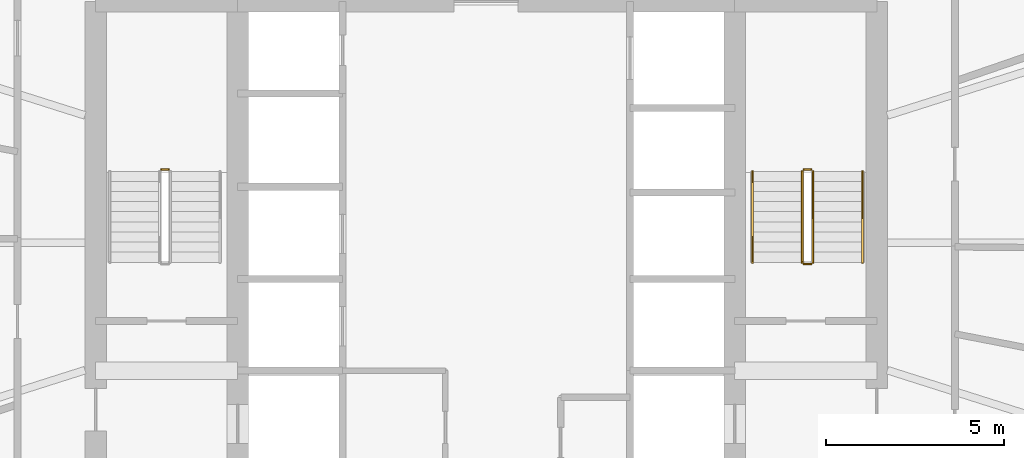
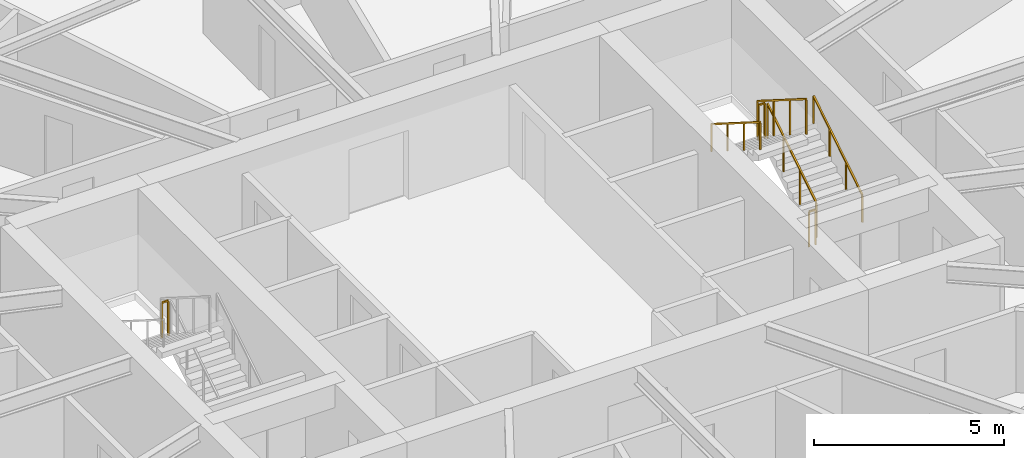
# One storey, part 27 of 27: 7 railings.
"""IFC4 building model written with IfcOpenShell, lengths in metres."""

from ifc_helpers import new_model, si_unit, direction, frame, origin, origin_2d, place, context, subcontext, project, spatial, rectangle, extrude, material, type_object, element, save


model = new_model("IFC4")

# Units and contexts
model_context = context("Model", 3, precision=1e-05, world=origin(), true_north=direction((0.0, 1.0)))
body_context = subcontext(model_context, "Body", "Model", "MODEL_VIEW")
ifc_project = project(units=[si_unit("LENGTHUNIT", "METRE"), si_unit("AREAUNIT", "SQUARE_METRE"), si_unit("VOLUMEUNIT", "CUBIC_METRE"), si_unit("PLANEANGLEUNIT", "RADIAN"), si_unit("MASSUNIT", "GRAM", prefix="KILO")], contexts=[model_context])

# Site, building, storey
site_placement = place(None, origin())
site = spatial("IfcSite", under=ifc_project, at=site_placement, CompositionType="ELEMENT")
building_placement = place(site_placement, origin())
building = spatial("IfcBuilding", under=site, at=building_placement, Name="Sarneth Arch Tower", CompositionType="ELEMENT")
storey_placement = place(building_placement, frame((0.0, 0.0, 75.0)))
storey = spatial("IfcBuildingStorey", under=building, at=storey_placement, Name="L18", CompositionType="ELEMENT", Elevation=75.0)

# Railings
ifc_material_1 = material(Name="Brushed Stainless Steel 304 tubular handrail", Category="steel")
railing_type_1 = type_object("IfcRailingType", Name="RAIL-HANDRAIL-900", PredefinedType="HANDRAIL", material=ifc_material_1)
railing_1_placement = place(storey_placement, frame((58.60009765625, 41.449951171875, 0.179931640625)))
element("IfcRailing", 1, at=railing_1_placement, inside=storey, type_object=railing_type_1, Name="L18 ST-2 stair handrail 1", PredefinedType="HANDRAIL", context=body_context, shape_type="SweptSolid", body=[
    extrude(rectangle(XDim=0.048095703125, YDim=0.048095703125, at=origin_2d()), frame((0.0, 0.0, 0.8759765625), z_axis=(0.0, 0.845465955043, 0.534029323973), x_axis=(-1.0, 0.0, 0.0)), (0.0, 0.0, 1.0), 3.03369140625),
    extrude(rectangle(XDim=0.0419921875, YDim=0.0419921875, at=origin_2d()), origin(), (0.0, 0.0, 1.0), 0.851806640625),
    extrude(rectangle(XDim=0.0419921875, YDim=0.0419921875, at=origin_2d()), frame((0.0, 0.85498046875, 0.5400390625)), (0.0, 0.0, 1.0), 0.851806640625),
    extrude(rectangle(XDim=0.0419921875, YDim=0.0419921875, at=origin_2d()), frame((0.0, 1.7099609375, 1.080078125)), (0.0, 0.0, 1.0), 0.851806640625),
    extrude(rectangle(XDim=0.0419921875, YDim=0.0419921875, at=origin_2d()), frame((0.0, 2.56494140625, 1.6201171875)), (0.0, 0.0, 1.0), 0.851806640625),
])
railing_2_placement = place(storey_placement, frame((55.5, 44.014892578125, 1.97998046875)))
element("IfcRailing", 2, at=railing_2_placement, inside=storey, type_object=railing_type_1, Name="L18 ST-2 stair handrail 2", PredefinedType="HANDRAIL", context=body_context, shape_type="SweptSolid", body=[
    extrude(rectangle(XDim=0.048095703125, YDim=0.048095703125, at=origin_2d()), frame((0.0, 0.0, 0.8759765625), z_axis=(0.0, -0.845465955043, 0.534029323973), x_axis=(1.0, 0.0, 0.0)), (0.0, 0.0, 1.0), 3.03369140625),
    extrude(rectangle(XDim=0.0419921875, YDim=0.0419921875, at=origin_2d()), origin(), (0.0, 0.0, 1.0), 0.851806640625),
    extrude(rectangle(XDim=0.0419921875, YDim=0.0419921875, at=origin_2d()), frame((0.0, -0.85498046875, 0.5400390625)), (0.0, 0.0, 1.0), 0.851806640625),
    extrude(rectangle(XDim=0.0419921875, YDim=0.0419921875, at=origin_2d()), frame((0.0, -1.7099609375, 1.080078125)), (0.0, 0.0, 1.0), 0.851806640625),
    extrude(rectangle(XDim=0.0419921875, YDim=0.0419921875, at=origin_2d()), frame((0.0, -2.56494140625, 1.6201171875)), (0.0, 0.0, 1.0), 0.851806640625),
])
ifc_material_2 = material(Name="Painted Steel S275 stair well guard", Category="steel")
railing_type_2 = type_object("IfcRailingType", Name="RAIL-STAIR-GUARD", PredefinedType="GUARDRAIL", material=ifc_material_2)
railing_3_placement = place(storey_placement, frame((39.050048828125, 44.06494140625, 1.800048828125)))
element("IfcRailing", 3, at=railing_3_placement, inside=storey, type_object=railing_type_2, Name="L18 ST-1 stair guard 2", PredefinedType="GUARDRAIL", context=body_context, shape_type="SweptSolid", body=[
    extrude(rectangle(XDim=0.048095703125, YDim=0.048095703125, at=origin_2d()), frame((0.0, 0.0, 1.1259765625), z_axis=(-1.0, 0.0, 0.0), x_axis=(0.0, -1.0, 0.0)), (0.0, 0.0, 1.0), 0.199951171875),
    extrude(rectangle(XDim=0.0419921875, YDim=0.0419921875, at=origin_2d()), origin(), (0.0, 0.0, 1.0), 1.101806640625),
    extrude(rectangle(XDim=0.0419921875, YDim=0.0419921875, at=origin_2d()), frame((-0.199951171875, 0.0, 0.0)), (0.0, 0.0, 1.0), 1.101806640625),
])
railing_4_placement = place(storey_placement, frame((57.199951171875, 41.449951171875, 0.179931640625)))
element("IfcRailing", 4, at=railing_4_placement, inside=storey, type_object=railing_type_2, Name="L18 ST-2 stair guard 1", PredefinedType="GUARDRAIL", context=body_context, shape_type="SweptSolid", body=[
    extrude(rectangle(XDim=0.048095703125, YDim=0.048095703125, at=origin_2d()), frame((0.0, 0.0, 1.1259765625), z_axis=(0.0, 0.845465955043, 0.534029323973), x_axis=(-1.0, 0.0, 0.0)), (0.0, 0.0, 1.0), 3.03369140625),
    extrude(rectangle(XDim=0.0419921875, YDim=0.0419921875, at=origin_2d()), origin(), (0.0, 0.0, 1.0), 1.101806640625),
    extrude(rectangle(XDim=0.0419921875, YDim=0.0419921875, at=origin_2d()), frame((0.0, 0.85498046875, 0.5400390625)), (0.0, 0.0, 1.0), 1.101806640625),
    extrude(rectangle(XDim=0.0419921875, YDim=0.0419921875, at=origin_2d()), frame((0.0, 1.7099609375, 1.080078125)), (0.0, 0.0, 1.0), 1.101806640625),
    extrude(rectangle(XDim=0.0419921875, YDim=0.0419921875, at=origin_2d()), frame((0.0, 2.56494140625, 1.6201171875)), (0.0, 0.0, 1.0), 1.101806640625),
])
railing_5_placement = place(storey_placement, frame((57.14990234375, 44.06494140625, 1.800048828125)))
element("IfcRailing", 5, at=railing_5_placement, inside=storey, type_object=railing_type_2, Name="L18 ST-2 stair guard 2", PredefinedType="GUARDRAIL", context=body_context, shape_type="SweptSolid", body=[
    extrude(rectangle(XDim=0.048095703125, YDim=0.048095703125, at=origin_2d()), frame((0.0, 0.0, 1.1259765625), z_axis=(-1.0, 0.0, 0.0), x_axis=(0.0, -1.0, 0.0)), (0.0, 0.0, 1.0), 0.199951171875),
    extrude(rectangle(XDim=0.0419921875, YDim=0.0419921875, at=origin_2d()), origin(), (0.0, 0.0, 1.0), 1.101806640625),
    extrude(rectangle(XDim=0.0419921875, YDim=0.0419921875, at=origin_2d()), frame((-0.199951171875, 0.0, 0.0)), (0.0, 0.0, 1.0), 1.101806640625),
])
railing_6_placement = place(storey_placement, frame((56.89990234375, 44.014892578125, 1.97998046875)))
element("IfcRailing", 6, at=railing_6_placement, inside=storey, type_object=railing_type_2, Name="L18 ST-2 stair guard 3", PredefinedType="GUARDRAIL", context=body_context, shape_type="SweptSolid", body=[
    extrude(rectangle(XDim=0.048095703125, YDim=0.048095703125, at=origin_2d()), frame((0.0, 0.0, 1.1259765625), z_axis=(0.0, -0.845465955043, 0.534029323973), x_axis=(1.0, 0.0, 0.0)), (0.0, 0.0, 1.0), 3.03369140625),
    extrude(rectangle(XDim=0.0419921875, YDim=0.0419921875, at=origin_2d()), origin(), (0.0, 0.0, 1.0), 1.101806640625),
    extrude(rectangle(XDim=0.0419921875, YDim=0.0419921875, at=origin_2d()), frame((0.0, -0.85498046875, 0.5400390625)), (0.0, 0.0, 1.0), 1.101806640625),
    extrude(rectangle(XDim=0.0419921875, YDim=0.0419921875, at=origin_2d()), frame((0.0, -1.7099609375, 1.080078125)), (0.0, 0.0, 1.0), 1.101806640625),
    extrude(rectangle(XDim=0.0419921875, YDim=0.0419921875, at=origin_2d()), frame((0.0, -2.56494140625, 1.6201171875)), (0.0, 0.0, 1.0), 1.101806640625),
])
railing_7_placement = place(storey_placement, frame((57.14990234375, 41.39990234375, 0.0)))
element("IfcRailing", 7, at=railing_7_placement, inside=storey, type_object=railing_type_2, Name="L18 ST-2 stair guard 4", PredefinedType="GUARDRAIL", context=body_context, shape_type="SweptSolid", body=[
    extrude(rectangle(XDim=0.048095703125, YDim=0.048095703125, at=origin_2d()), frame((0.0, 0.0, 1.1259765625), z_axis=(-1.0, 0.0, 0.0), x_axis=(0.0, -1.0, 0.0)), (0.0, 0.0, 1.0), 0.199951171875),
    extrude(rectangle(XDim=0.0419921875, YDim=0.0419921875, at=origin_2d()), origin(), (0.0, 0.0, 1.0), 1.101806640625),
    extrude(rectangle(XDim=0.0419921875, YDim=0.0419921875, at=origin_2d()), frame((-0.199951171875, 0.0, 0.0)), (0.0, 0.0, 1.0), 1.101806640625),
])

save(model, "model.ifc")
